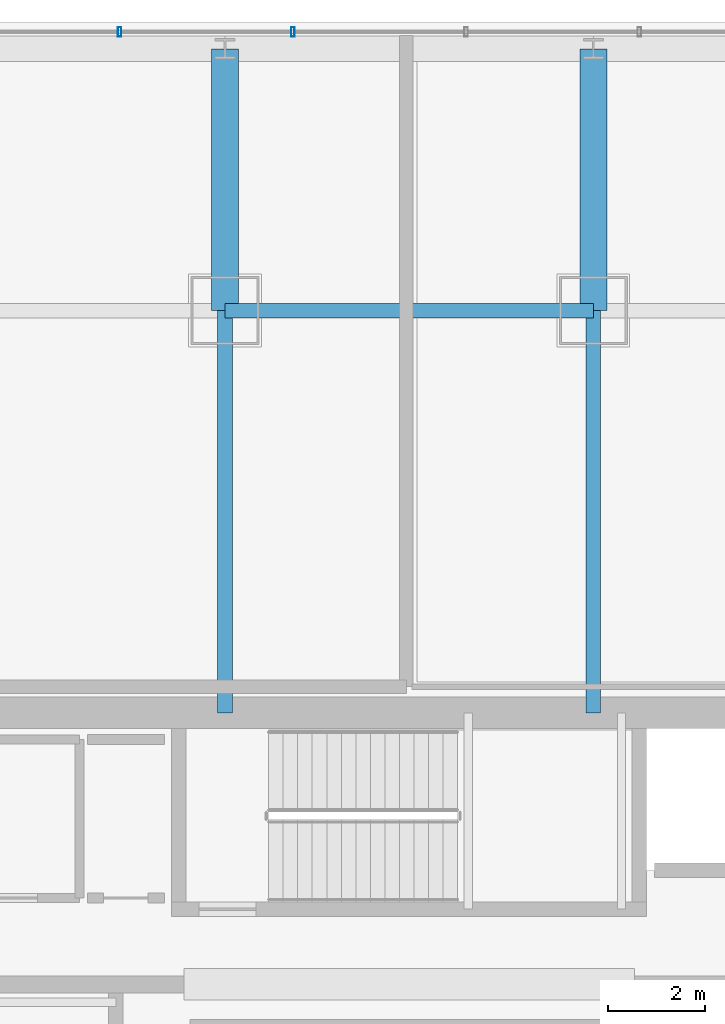
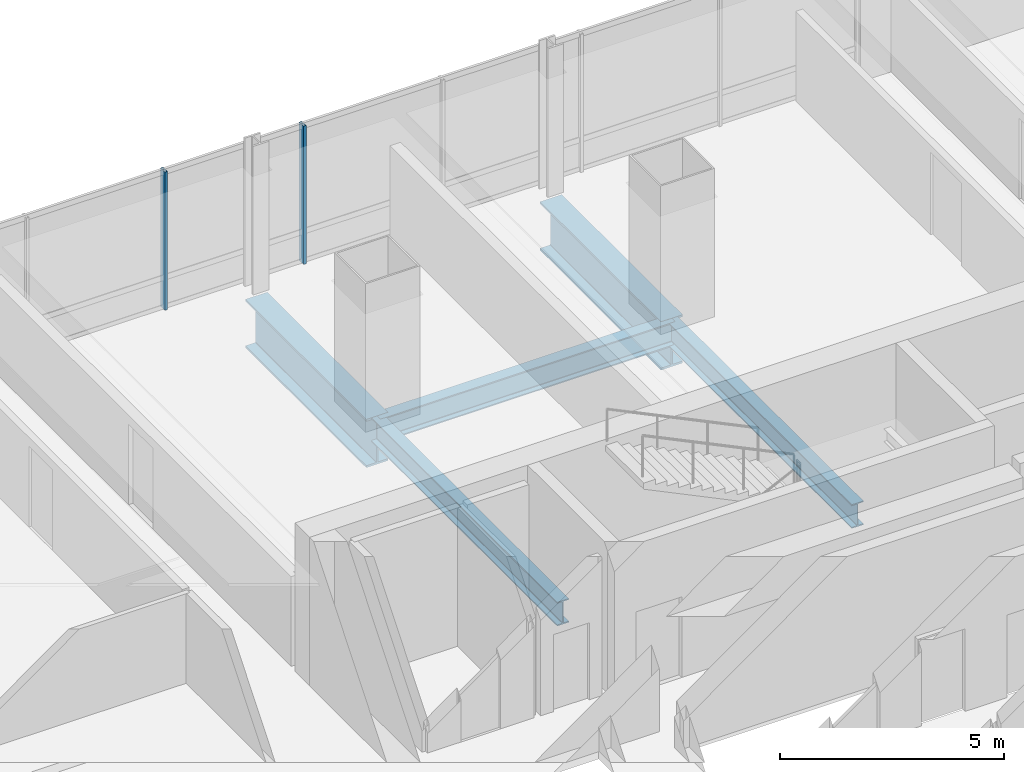
# One storey, part 23 of 47: 5 beams, 2 members, 1 element without a shape of its own.
"""IFC4 building model written with IfcOpenShell, lengths in metres."""

from ifc_helpers import new_model, si_unit, direction, frame, origin, origin_2d, place, context, subcontext, project, spatial, hollow_rectangle, i_section, extrude, material, material_profile, profile_set, type_object, element, aggregate, save


model = new_model("IFC4")

# Units and contexts
model_context = context("Model", 3, precision=1e-05, world=origin(), true_north=direction((0.0, 1.0)))
body_context = subcontext(model_context, "Body", "Model", "MODEL_VIEW")
ifc_project = project(units=[si_unit("LENGTHUNIT", "METRE"), si_unit("AREAUNIT", "SQUARE_METRE"), si_unit("VOLUMEUNIT", "CUBIC_METRE"), si_unit("PLANEANGLEUNIT", "RADIAN"), si_unit("MASSUNIT", "GRAM", prefix="KILO")], contexts=[model_context])

# Site, building, storey
site_placement = place(None, origin())
site = spatial("IfcSite", under=ifc_project, at=site_placement, CompositionType="ELEMENT")
building_placement = place(site_placement, origin())
building = spatial("IfcBuilding", under=site, at=building_placement, Name="Punatoya Terracotta Tower", CompositionType="ELEMENT")
storey_placement = place(building_placement, frame((0.0, 0.0, 168.14990234375)))
storey = spatial("IfcBuildingStorey", under=building, at=storey_placement, Name="L39", CompositionType="ELEMENT", Elevation=168.14990234375)

# Beams
ifc_material_1 = material(Name="Steel S355", Category="steel")
ifc_material_profile_1 = material_profile(ifc_material_1, i_section(OverallWidth=0.300048828125, OverallDepth=0.64990234375, WebThickness=0.01611328125, FlangeThickness=0.031005859375, FilletRadius=0.01806640625, at=origin_2d()))
ifc_profile_set_1 = profile_set([ifc_material_profile_1], Name="Steel S355")
beam_type_1 = type_object("IfcBeamType", Name="BM-PRI-650", PredefinedType="BEAM", material=ifc_profile_set_1)
beam_placement = place(storey_placement, frame((-3.800048828125, 17.5, -0.544921875), z_axis=(1.0, 0.0, 0.0), x_axis=(0.0, 1.0, 0.0)))
element("IfcBeam", 1, at=beam_placement, inside=storey, type_object=beam_type_1, Name="BM-L39-RG-N2", PredefinedType="BEAM", context=body_context, shape_type="SweptSolid", body=[
    extrude(i_section(OverallWidth=0.300048828125, OverallDepth=0.64990234375, WebThickness=0.01611328125, FlangeThickness=0.031005859375, FilletRadius=0.01806640625, at=origin_2d()), origin(), (0.0, 0.0, 1.0), 7.60009765625),
])
for number, where, z_axis, x_axis, name in (
    (2, (-3.800048828125, 9.199951171875, -0.544921875), (0.0, 1.0, 0.0), (-1.0, 0.0, 0.0), "BM-L39-PR-N2"),
    (3, (3.800048828125, 9.199951171875, -0.544921875), (0.0, 1.0, 0.0), (-1.0, 0.0, 0.0), "BM-L39-PR-N3"),
):
    element("IfcBeam", number, at=place(storey_placement, frame(where, z_axis=z_axis, x_axis=x_axis)), inside=storey, type_object=beam_type_1, Name=name, PredefinedType="BEAM", context=body_context, shape_type="SweptSolid", body=[
        extrude(i_section(OverallWidth=0.300048828125, OverallDepth=0.64990234375, WebThickness=0.01611328125, FlangeThickness=0.031005859375, FilletRadius=0.01806640625, at=origin_2d()), origin(), (0.0, 0.0, 1.0), 8.300048828125),
    ])
ifc_material_2 = material(Name="Steel S460", Category="steel")
ifc_material_profile_2 = material_profile(ifc_material_2, i_section(OverallWidth=0.56005859375, OverallDepth=1.320068359375, WebThickness=0.035888671875, FlangeThickness=0.054931640625, FilletRadius=0.01806640625, at=origin_2d()))
ifc_profile_set_2 = profile_set([ifc_material_profile_2], Name="Steel S460")
beam_type_2 = type_object("IfcBeamType", Name="BM-TG-BLK", PredefinedType="BEAM", material=ifc_profile_set_2)
for number, where, z_axis, x_axis, name in (
    (4, (-3.800048828125, 17.5, -0.8798828125), (0.0, 1.0, 0.0), (-1.0, 0.0, 0.0), "BM-L39-CANT-N2"),
    (5, (3.800048828125, 17.5, -0.8798828125), (0.0, 1.0, 0.0), (-1.0, 0.0, 0.0), "BM-L39-CANT-N3"),
):
    element("IfcBeam", number, at=place(storey_placement, frame(where, z_axis=z_axis, x_axis=x_axis)), inside=storey, type_object=beam_type_2, Name=name, PredefinedType="BEAM", context=body_context, shape_type="SweptSolid", body=[
        extrude(i_section(OverallWidth=0.56005859375, OverallDepth=1.320068359375, WebThickness=0.035888671875, FlangeThickness=0.054931640625, FilletRadius=0.01806640625, at=origin_2d()), origin(), (0.0, 0.0, 1.0), 5.39990234375),
    ])

# Curtain wall, members
ifc_material_3 = material(Name="Aluminium 6063-T6 + Double Low-E Glass", Category="aluminium")
curtain_wall_type = type_object("IfcCurtainWallType", Name="CW-M2", PredefinedType="NOTDEFINED", material=ifc_material_3)
curtain_wall_placement = place(storey_placement, origin())
curtain_wall = element("IfcCurtainWall", 6, at=curtain_wall_placement, inside=storey, type_object=curtain_wall_type, Name="L39 Curtain Wall CW-L39-N09-1", PredefinedType="NOTDEFINED")
ifc_material_4 = material(Name="Aluminium 6063-T6", Category="aluminium")
ifc_material_profile_3 = material_profile(ifc_material_4, hollow_rectangle(XDim=0.072021484375, YDim=0.195068359375, WallThickness=0.00439453125, at=origin_2d()))
ifc_profile_set_3 = profile_set([ifc_material_profile_3], Name="Aluminium 6063-T6")
member_type = type_object("IfcMemberType", Name="CW-MUL-M2", PredefinedType="MULLION", material=ifc_profile_set_3)
member_1_placement = place(storey_placement, frame((-2.39990234375, 23.25, 0.0), z_axis=(0.0, 0.0, 1.0), x_axis=(1.0, 0.0, 0.0)))
member_1 = element("IfcMember", 7, at=member_1_placement, type_object=member_type, Name="CW-L39-N09-1 Mullion 04", PredefinedType="MULLION", context=body_context, shape_type="SweptSolid", body=[
    extrude(hollow_rectangle(XDim=0.072021484375, YDim=0.195068359375, WallThickness=0.00439453125, at=origin_2d()), origin(), (0.0, 0.0, 1.0), 3.77001953125),
])
member_2_placement = place(storey_placement, frame((-5.97509765625, 23.25, 0.0), z_axis=(0.0, 0.0, 1.0), x_axis=(1.0, 0.0, 0.0)))
member_2 = element("IfcMember", 8, at=member_2_placement, type_object=member_type, Name="CW-L39-N09-1 Mullion 05", PredefinedType="MULLION", context=body_context, shape_type="SweptSolid", body=[
    extrude(hollow_rectangle(XDim=0.072021484375, YDim=0.195068359375, WallThickness=0.00439453125, at=origin_2d()), origin(), (0.0, 0.0, 1.0), 3.77001953125),
])
aggregate(curtain_wall, [member_1, member_2])

save(model, "model.ifc")
